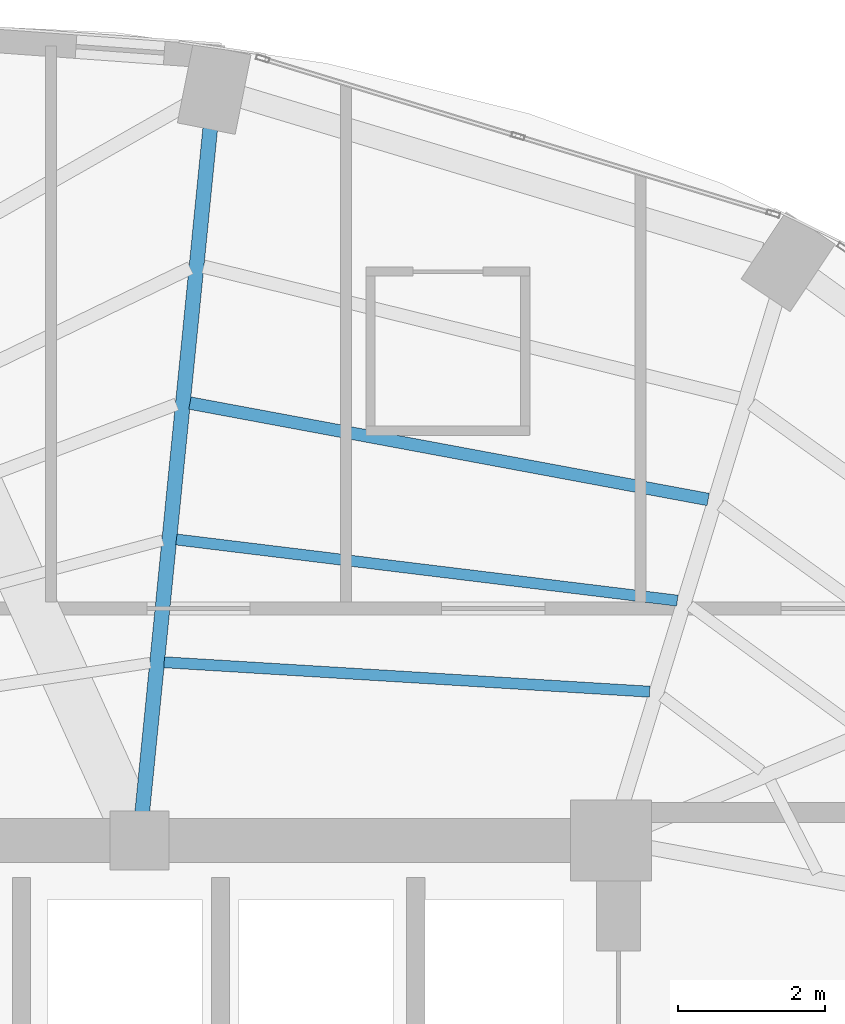
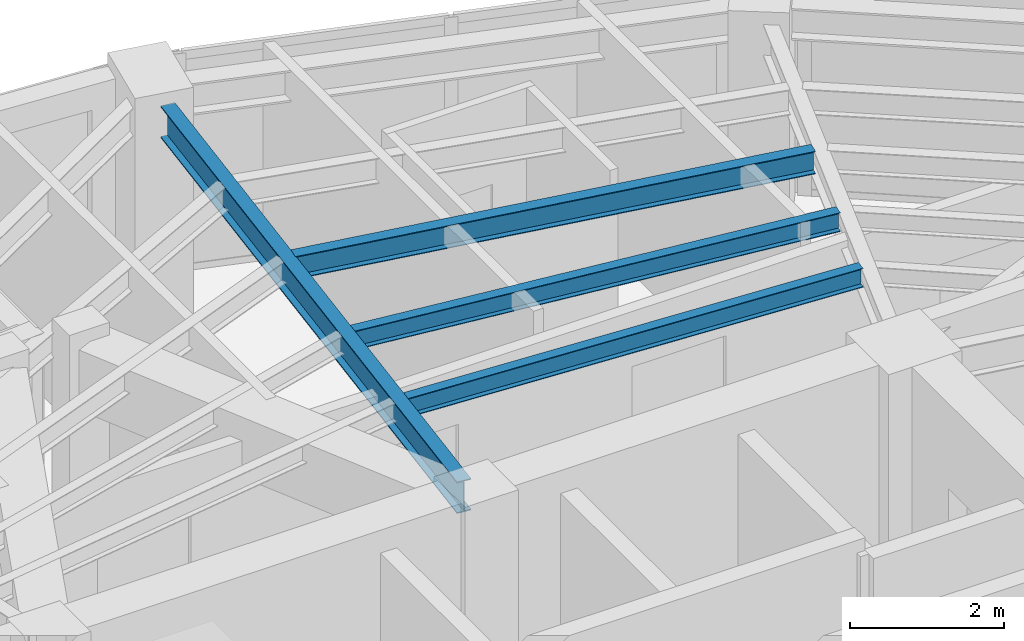
# One storey, part 12 of 23: 4 beams.
"""IFC4 building model written with IfcOpenShell, lengths in metres."""

import ifcopenshell
import ifcopenshell.guid

model = None  # the IFC model being written
_history = None  # IfcOwnerHistory: only IFC2X3 demands one
_inside = {}  # id of a spatial element -> (the spatial element, [elements in it])
_under = {}  # id of a project, library or spatial element -> (it, [spatial elements below it])
_declared = {}  # id of a project -> (the project, [libraries it declares])
_typed = {}  # id of a type object -> (the type object, [elements of that type])
_made_of = {}  # id of a material, layer set ... -> (it, [elements and type objects made of it])


def new_model(schema):
    """Start an empty IFC model of exactly this schema.

    Asked for "IFC4X3", IfcOpenShell would pick the latest addendum, in which some entities
    have other attributes; the version numbers below select the first issue.
    IFC2X3 requires an IfcOwnerHistory on every rooted entity: one is made here for all.
    """
    global model, _history
    if schema == "IFC4X3":
        model = ifcopenshell.file(schema_version=(4, 3, 0, 0))
    else:
        model = ifcopenshell.file(schema=schema)
    _inside.clear()
    _under.clear()
    _declared.clear()
    _typed.clear()
    _made_of.clear()
    _history = None
    if model.schema == "IFC2X3":
        org = make("IfcOrganization", Name="unknown")
        user = make(
            "IfcPersonAndOrganization",
            ThePerson=make("IfcPerson", FamilyName="unknown"),
            TheOrganization=org,
        )
        app = make(
            "IfcApplication",
            ApplicationDeveloper=org,
            Version="unknown",
            ApplicationFullName="unknown",
            ApplicationIdentifier="unknown",
        )
        _history = make(
            "IfcOwnerHistory",
            OwningUser=user,
            OwningApplication=app,
            ChangeAction="ADDED",
            CreationDate=0,
        )
    return model


def make(cls, **values):
    """One entity of the class cls with the attributes given. An attribute that is None is left unset."""
    return model.create_entity(
        cls, **{name: value for name, value in values.items() if value is not None}
    )


def rooted(cls, **values):
    """An entity with a GlobalId (a new one), such as an element, a storey or a relation."""
    return make(cls, GlobalId=ifcopenshell.guid.new(), OwnerHistory=_history, **values)


def si_unit(unit_type, name, prefix=None):
    """IfcSIUnit, for example si_unit("LENGTHUNIT", "METRE", prefix="MILLI")."""
    return make("IfcSIUnit", UnitType=unit_type, Prefix=prefix, Name=name)


def assignment(units):
    """IfcUnitAssignment: the units of a project."""
    return None if units is None else make("IfcUnitAssignment", Units=units)


def point(xyz):
    """IfcCartesianPoint."""
    return None if xyz is None else make("IfcCartesianPoint", Coordinates=xyz)


def direction(xyz):
    """IfcDirection."""
    return None if xyz is None else make("IfcDirection", DirectionRatios=xyz)


def frame(location, z_axis=None, x_axis=None):
    """IfcAxis2Placement3D, a coordinate frame: its origin and axes. An axis left out is left unset."""
    return make(
        "IfcAxis2Placement3D",
        Location=point(location),
        Axis=direction(z_axis),
        RefDirection=direction(x_axis),
    )


def frame_2d(location, x_axis=None):
    """IfcAxis2Placement2D, a coordinate frame in the plane: its origin and x axis."""
    return make(
        "IfcAxis2Placement2D", Location=point(location), RefDirection=direction(x_axis)
    )


def origin():
    """The frame at (0, 0, 0) with its axes left unset."""
    return frame((0.0, 0.0, 0.0))


def origin_2d():
    """The frame at (0, 0) in the plane with its x axis left unset."""
    return frame_2d((0.0, 0.0))


def place(relative_to, where):
    """IfcLocalPlacement: puts the frame where relative to a parent placement (None: the world)."""
    return make(
        "IfcLocalPlacement", PlacementRelTo=relative_to, RelativePlacement=where
    )


def context(
    kind, dimensions, precision=None, world=None, true_north=None, identifier=None
):
    """IfcGeometricRepresentationContext, for example the 3D "Model" context."""
    return make(
        "IfcGeometricRepresentationContext",
        ContextIdentifier=identifier,
        ContextType=kind,
        CoordinateSpaceDimension=dimensions,
        Precision=precision,
        WorldCoordinateSystem=world,
        TrueNorth=true_north,
    )


def subcontext(parent, identifier, kind, view, scale=None):
    """IfcGeometricRepresentationSubContext, for example "Body" below "Model"."""
    return make(
        "IfcGeometricRepresentationSubContext",
        ContextIdentifier=identifier,
        ContextType=kind,
        ParentContext=parent,
        TargetScale=scale,
        TargetView=view,
    )


def project(units=None, contexts=None):
    """IfcProject with its units and contexts."""
    return rooted(
        "IfcProject",
        Name="project",
        RepresentationContexts=contexts,
        UnitsInContext=assignment(units),
    )


def spatial(cls, under=None, at=None, **own):
    """A site, building, storey or space (cls), placed at a placement, below another one or the project."""
    s = rooted(cls, ObjectPlacement=at, **own)
    if under is not None:
        _under.setdefault(under.id(), (under, []))[1].append(s)
    return s


def profile(cls, at=None, kind="AREA", **sizes):
    """A parametric profile (cls). Its sizes go by their IFC names, for example OverallWidth=200.0."""
    return make(cls, ProfileType=kind, Position=at, **sizes)


def i_section(**sizes):
    """IfcIShapeProfileDef."""
    return profile("IfcIShapeProfileDef", **sizes)


def extrude(swept, where, along, depth):
    """IfcExtrudedAreaSolid: the profile swept, set in the frame where, extruded along a direction by depth."""
    return make(
        "IfcExtrudedAreaSolid",
        SweptArea=swept,
        Position=where,
        ExtrudedDirection=direction(along),
        Depth=depth,
    )


def shape(context_of_items, identifier, shape_type, items):
    """IfcShapeRepresentation: the items that make up one representation, for example the "Body"."""
    return make(
        "IfcShapeRepresentation",
        ContextOfItems=context_of_items,
        RepresentationIdentifier=identifier,
        RepresentationType=shape_type,
        Items=items,
    )


def material(Name=None, Category=None):
    """IfcMaterial."""
    return make("IfcMaterial", Name=Name, Category=Category)


def material_profile(
    of_material, cross_section, Name=None, Category=None, Priority=None
):
    """IfcMaterialProfile: a cross section and its material."""
    return make(
        "IfcMaterialProfile",
        Name=Name,
        Material=of_material,
        Profile=cross_section,
        Priority=Priority,
        Category=Category,
    )


def profile_set(profiles, Name=None, composite=None):
    """IfcMaterialProfileSet."""
    return make(
        "IfcMaterialProfileSet",
        Name=Name,
        MaterialProfiles=profiles,
        CompositeProfile=composite,
    )


def made_of(thing, what):
    """Note that an element or type object is made of a material, layer set ...; save() writes the relation."""
    if what is not None:
        _made_of.setdefault(what.id(), (what, []))[1].append(thing)
    return thing


def type_object(cls, material=None, **own):
    """A type object (cls), such as IfcWallType, which elements share."""
    return made_of(rooted(cls, **own), material)


def element(
    cls,
    number,
    at=None,
    inside=None,
    cuts=None,
    type_object=None,
    material=None,
    context=None,
    identifier="Body",
    shape_type=None,
    held_by="IfcProductDefinitionShape",
    body=None,
    shapes=None,
    **own,
):
    """One element of the class cls, such as IfcWall. Its Tag is "e" and its number.

    at: its placement. inside: the storey or other place that contains it. cuts: it is an
    opening in that element (IfcRelVoidsElement). A single representation is given by context,
    identifier, shape_type and body (its items); several are given by shapes. held_by: the class
    of the entity that holds the representations. save() writes the other relations.
    """
    e = rooted(cls, Tag="e%d" % number, ObjectPlacement=at, **own)
    if body is not None:
        shapes = [shape(context, identifier, shape_type, body)]
    if shapes is not None:
        e.Representation = make(held_by, Representations=shapes)
    if inside is not None:
        _inside.setdefault(inside.id(), (inside, []))[1].append(e)
    if cuts is not None:
        rooted(
            "IfcRelVoidsElement", RelatingBuildingElement=cuts, RelatedOpeningElement=e
        )
    if type_object is not None:
        _typed.setdefault(type_object.id(), (type_object, []))[1].append(e)
    return made_of(e, material)


def aggregate(whole, parts):
    """IfcRelAggregates: a whole, such as a stair, and the parts it consists of."""
    return rooted("IfcRelAggregates", RelatingObject=whole, RelatedObjects=parts)


def save(model, path):
    """Write the relations noted so far, then the file.

    IfcRelAggregates (storeys below a building ...), IfcRelContainedInSpatialStructure (elements
    in a storey), IfcRelDefinesByType, IfcRelAssociatesMaterial and IfcRelDeclares: one each for
    every whole, place, type object, material and project.
    """
    for whole, parts in _under.values():
        aggregate(whole, parts)
    for where, things in _inside.values():
        rooted(
            "IfcRelContainedInSpatialStructure",
            RelatedElements=things,
            RelatingStructure=where,
        )
    for kind, things in _typed.values():
        rooted("IfcRelDefinesByType", RelatedObjects=things, RelatingType=kind)
    for what, things in _made_of.values():
        rooted("IfcRelAssociatesMaterial", RelatedObjects=things, RelatingMaterial=what)
    for by, libraries in _declared.values():
        rooted("IfcRelDeclares", RelatingContext=by, RelatedDefinitions=libraries)
    model.write(path)


model = new_model("IFC4")

# Units and contexts
model_context = context("Model", 3, precision=1e-05, world=origin(), true_north=direction((0.0, 1.0)))
body_context = subcontext(model_context, "Body", "Model", "MODEL_VIEW")
ifc_project = project(units=[si_unit("LENGTHUNIT", "METRE"), si_unit("AREAUNIT", "SQUARE_METRE"), si_unit("VOLUMEUNIT", "CUBIC_METRE"), si_unit("PLANEANGLEUNIT", "RADIAN"), si_unit("MASSUNIT", "GRAM", prefix="KILO")], contexts=[model_context])

# Site, building, storey
site_placement = place(None, origin())
site = spatial("IfcSite", under=ifc_project, at=site_placement, CompositionType="ELEMENT")
building_placement = place(site_placement, origin())
building = spatial("IfcBuilding", under=site, at=building_placement, Name="Lazwardi Medical Tower", CompositionType="ELEMENT")
storey_placement = place(building_placement, frame((0.0, 0.0, 194.83203125)))
storey = spatial("IfcBuildingStorey", under=building, at=storey_placement, Name="L50", CompositionType="ELEMENT", Elevation=194.83203125)

# Beams
ifc_material = material(Name="Steel S355", Category="steel")
ifc_material_profile_1 = material_profile(ifc_material, i_section(OverallWidth=0.199951171875, OverallDepth=0.5, WebThickness=0.01025390625, FlangeThickness=0.01611328125, at=origin_2d()), Name="IPE 500")
ifc_profile_set_1 = profile_set([ifc_material_profile_1], Name="Steel S355")
beam_type_1 = type_object("IfcBeamType", Name="BM-RG-W3", PredefinedType="BEAM", material=ifc_profile_set_1)
beam_1_placement = place(storey_placement, frame((40.1611328125, 45.265869140625, 3.197998046875), z_axis=(-0.098954361922, -0.995091972763, 0.0), x_axis=(0.995091972763, -0.098954361922, 0.0)))
element("IfcBeam", 1, at=beam_1_placement, inside=storey, type_object=beam_type_1, Name="Radial girder RG-04 R08 L50", PredefinedType="BEAM", context=body_context, shape_type="SweptSolid", body=[
    extrude(i_section(OverallWidth=0.199951171875, OverallDepth=0.5, WebThickness=0.01025390625, FlangeThickness=0.01611328125, at=origin_2d()), origin(), (0.0, 0.0, 1.0), 9.32861328125),
])
ifc_material_profile_2 = material_profile(ifc_material, i_section(OverallWidth=0.169921875, OverallDepth=0.360107421875, WebThickness=0.008056640625, FlangeThickness=0.0126953125, at=origin_2d()), Name="IPE 360")
ifc_profile_set_2 = profile_set([ifc_material_profile_2], Name="Steel S355")
beam_type_2 = type_object("IfcBeamType", Name="BM-SJ-02", PredefinedType="JOIST", material=ifc_profile_set_2)
beam_2_placement = place(storey_placement, frame((46.91552734375, 40.2275390625, 3.26806640625), z_axis=(-0.983132476587, 0.182894870019, 0.0), x_axis=(-0.182894870019, -0.983132476587, 0.0)))
element("IfcBeam", 2, at=beam_2_placement, inside=storey, type_object=beam_type_2, Name="Secondary joist SJ-02 R2 B07 L50", PredefinedType="JOIST", context=body_context, shape_type="SweptSolid", body=[
    extrude(i_section(OverallWidth=0.169921875, OverallDepth=0.360107421875, WebThickness=0.008056640625, FlangeThickness=0.0126953125, at=origin_2d()), origin(), (0.0, 0.0, 1.0), 7.15087890625),
])
ifc_material_profile_3 = material_profile(ifc_material, i_section(OverallWidth=0.14990234375, OverallDepth=0.300048828125, WebThickness=0.007080078125, FlangeThickness=0.0107421875, at=origin_2d()), Name="IPE 300")
ifc_profile_set_3 = profile_set([ifc_material_profile_3], Name="Steel S355")
beam_type_3 = type_object("IfcBeamType", Name="BM-SJ-03", PredefinedType="JOIST", material=ifc_profile_set_3)
beam_3_placement = place(storey_placement, frame((46.4970703125, 38.85546875, 3.2978515625), z_axis=(-0.992634689535, 0.121146081783, 0.0), x_axis=(-0.121146081783, -0.992634689535, 0.0)))
element("IfcBeam", 3, at=beam_3_placement, inside=storey, type_object=beam_type_3, Name="Secondary joist SJ-03 R3 B07 L50", PredefinedType="JOIST", context=body_context, shape_type="SweptSolid", body=[
    extrude(i_section(OverallWidth=0.14990234375, OverallDepth=0.300048828125, WebThickness=0.007080078125, FlangeThickness=0.0107421875, at=origin_2d()), origin(), (0.0, 0.0, 1.0), 6.845947265625),
])
beam_4_placement = place(storey_placement, frame((46.120849609375, 37.6201171875, 3.2978515625), z_axis=(-0.998165515862, 0.060544223044, 0.0), x_axis=(-0.060544223044, -0.998165515862, 0.0)))
element("IfcBeam", 4, at=beam_4_placement, inside=storey, type_object=beam_type_3, Name="Secondary joist SJ-03 R4 B07 L50", PredefinedType="JOIST", context=body_context, shape_type="SweptSolid", body=[
    extrude(i_section(OverallWidth=0.14990234375, OverallDepth=0.300048828125, WebThickness=0.007080078125, FlangeThickness=0.0107421875, at=origin_2d()), origin(), (0.0, 0.0, 1.0), 6.59716796875),
])

save(model, "model.ifc")
